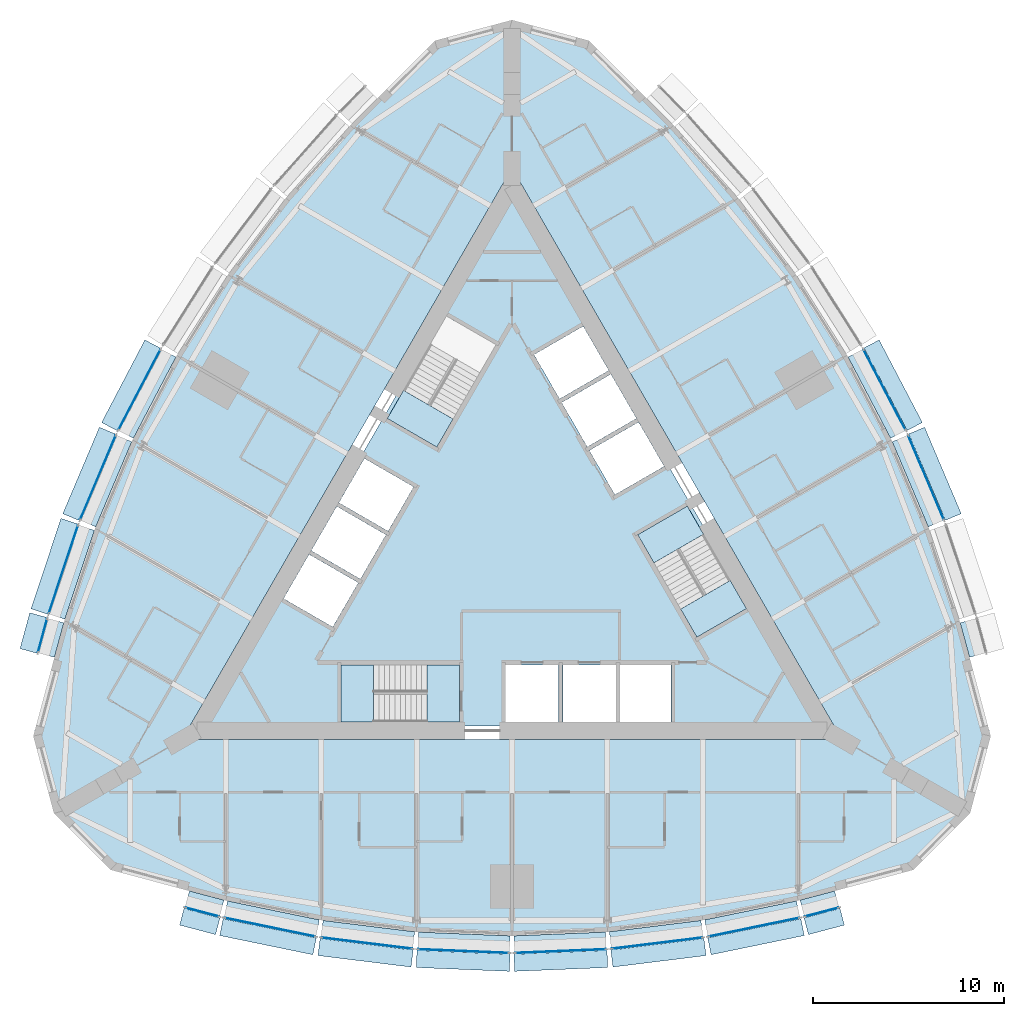
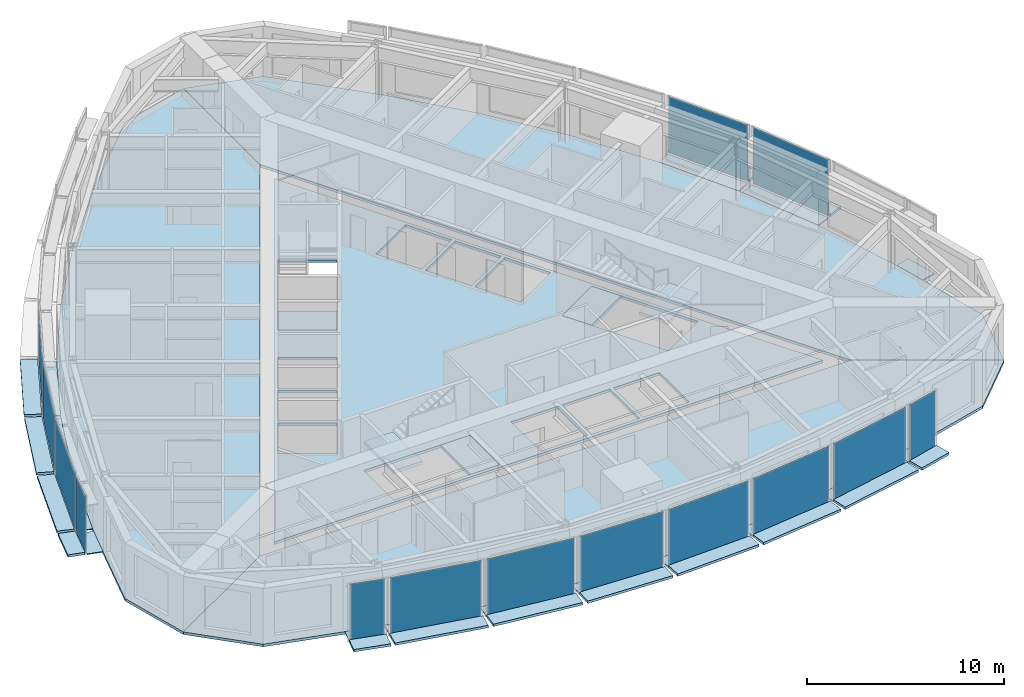
# One storey, part 7 of 15: 43 plates, 9 slabs, 17 elements without a shape of their own.
"""IFC4 building model written with IfcOpenShell, lengths in metres."""

from ifc_helpers import new_model, si_unit, direction, frame, origin, origin_2d, place, context, subcontext, project, spatial, polyline, rectangle, outline, extrude, material, layer, layer_set, type_object, element, aggregate, save


model = new_model("IFC4")

# Units and contexts
model_context = context("Model", 3, precision=1e-05, world=origin(), true_north=direction((0.0, 1.0)))
body_context = subcontext(model_context, "Body", "Model", "MODEL_VIEW")
ifc_project = project(units=[si_unit("LENGTHUNIT", "METRE"), si_unit("AREAUNIT", "SQUARE_METRE"), si_unit("VOLUMEUNIT", "CUBIC_METRE"), si_unit("PLANEANGLEUNIT", "RADIAN"), si_unit("MASSUNIT", "GRAM", prefix="KILO")], contexts=[model_context])

# Site, building, storey
site_placement = place(None, origin())
site = spatial("IfcSite", under=ifc_project, at=site_placement, CompositionType="ELEMENT")
building_placement = place(site_placement, origin())
building = spatial("IfcBuilding", under=site, at=building_placement, Name="Trikona Tower", CompositionType="ELEMENT")
storey_placement = place(building_placement, frame((0.0, 0.0, 200.89990234375)))
storey = spatial("IfcBuildingStorey", under=building, at=storey_placement, Name="L53", CompositionType="ELEMENT", Elevation=200.89990234375)

# Plates
ifc_material_1 = material(Name="Aluminium bar grating", Category="aluminium")
ifc_layer_1 = layer(ifc_material_1, 0.050048828125)
ifc_layer_set_1 = layer_set([ifc_layer_1], Name="Cavity catwalk grating")
plate_type_1 = type_object("IfcPlateType", Name="Cavity catwalk grating", PredefinedType="USERDEFINED", material=ifc_layer_set_1)
plate_1_placement = place(storey_placement, frame((-16.10693359375, -18.5673828125, -0.0498046875), z_axis=(0.0, 0.0, 1.0), x_axis=(0.966993038714, -0.254802792527, 0.0)))
element("IfcPlate", 1, at=plate_1_placement, inside=storey, type_object=plate_type_1, Name="Cavity catwalk L53-00", ObjectType="CATWALK GRATING", PredefinedType="USERDEFINED", context=body_context, shape_type="SweptSolid", body=[
    extrude(rectangle(XDim=1.868408203125, YDim=0.840087890625, at=origin_2d()), origin(), (0.0, 0.0, 1.0), 0.050048828125),
])
plate_2_placement = place(storey_placement, frame((-12.584716796875, -19.35107421875, -0.0498046875), z_axis=(0.0, 0.0, 1.0), x_axis=(0.979457514864, -0.201650629992, 0.0)))
element("IfcPlate", 2, at=plate_2_placement, inside=storey, type_object=plate_type_1, Name="Cavity catwalk L53-01", ObjectType="CATWALK GRATING", PredefinedType="USERDEFINED", context=body_context, shape_type="SweptSolid", body=[
    extrude(rectangle(XDim=4.90478515625, YDim=0.840087890625, at=origin_2d()), origin(), (0.0, 0.0, 1.0), 0.050048828125),
])
plate_3_placement = place(storey_placement, frame((-7.551513671875, -20.179931640625, -0.0498046875), z_axis=(0.0, 0.0, 1.0), x_axis=(0.992455266199, -0.122607277901, 0.0)))
element("IfcPlate", 3, at=plate_3_placement, inside=storey, type_object=plate_type_1, Name="Cavity catwalk L53-02", ObjectType="CATWALK GRATING", PredefinedType="USERDEFINED", context=body_context, shape_type="SweptSolid", body=[
    extrude(rectangle(XDim=4.837890625, YDim=0.840087890625, at=origin_2d()), origin(), (0.0, 0.0, 1.0), 0.050048828125),
])
for number, where, z_axis, x_axis, name in (
    (4, (-2.517333984375, -20.594482421875, -0.0498046875), (0.0, 0.0, 1.0), (0.999153186307, -0.041144991109, 0.0), "Cavity catwalk L53-03"),
    (5, (2.517333984375, -20.594482421875, -0.0498046875), (0.0, 0.0, 1.0), (0.999153186307, 0.041144991109, 0.0), "Cavity catwalk L53-04"),
):
    element("IfcPlate", number, at=place(storey_placement, frame(where, z_axis=z_axis, x_axis=x_axis)), inside=storey, type_object=plate_type_1, Name=name, ObjectType="CATWALK GRATING", PredefinedType="USERDEFINED", context=body_context, shape_type="SweptSolid", body=[
        extrude(rectangle(XDim=4.80419921875, YDim=0.840087890625, at=origin_2d()), origin(), (0.0, 0.0, 1.0), 0.050048828125),
    ])
plate_4_placement = place(storey_placement, frame((7.551513671875, -20.179931640625, -0.0498046875), z_axis=(0.0, 0.0, 1.0), x_axis=(0.992455266199, 0.122607277901, 0.0)))
element("IfcPlate", 6, at=plate_4_placement, inside=storey, type_object=plate_type_1, Name="Cavity catwalk L53-05", ObjectType="CATWALK GRATING", PredefinedType="USERDEFINED", context=body_context, shape_type="SweptSolid", body=[
    extrude(rectangle(XDim=4.837890625, YDim=0.840087890625, at=origin_2d()), origin(), (0.0, 0.0, 1.0), 0.050048828125),
])
plate_5_placement = place(storey_placement, frame((12.584716796875, -19.35107421875, -0.0498046875), z_axis=(0.0, 0.0, 1.0), x_axis=(0.979457514864, 0.201650629992, 0.0)))
element("IfcPlate", 7, at=plate_5_placement, inside=storey, type_object=plate_type_1, Name="Cavity catwalk L53-06", ObjectType="CATWALK GRATING", PredefinedType="USERDEFINED", context=body_context, shape_type="SweptSolid", body=[
    extrude(rectangle(XDim=4.90478515625, YDim=0.840087890625, at=origin_2d()), origin(), (0.0, 0.0, 1.0), 0.050048828125),
])
for number, where, z_axis, x_axis, name in (
    (8, (16.10693359375, -18.5673828125, -0.0498046875), (0.0, 0.0, 1.0), (0.966993038714, 0.254802792527, 0.0), "Cavity catwalk L53-07"),
    (9, (24.13330078125, -4.665283203125, -0.0498046875), (0.0, 0.0, 1.0), (-0.262822408229, 0.964844226667, 0.0), "Cavity catwalk L53-12"),
):
    element("IfcPlate", number, at=place(storey_placement, frame(where, z_axis=z_axis, x_axis=x_axis)), inside=storey, type_object=plate_type_1, Name=name, ObjectType="CATWALK GRATING", PredefinedType="USERDEFINED", context=body_context, shape_type="SweptSolid", body=[
        extrude(rectangle(XDim=1.868408203125, YDim=0.840087890625, at=origin_2d()), origin(), (0.0, 0.0, 1.0), 0.050048828125),
    ])
plate_6_placement = place(storey_placement, frame((21.252197265625, 3.55029296875, -0.0498046875), z_axis=(0.0, 0.0, 1.0), x_axis=(-0.390051437015, 0.920793069306, 0.0)))
element("IfcPlate", 10, at=plate_6_placement, inside=storey, type_object=plate_type_1, Name="Cavity catwalk L53-14", ObjectType="CATWALK GRATING", PredefinedType="USERDEFINED", context=body_context, shape_type="SweptSolid", body=[
    extrude(rectangle(XDim=4.837890625, YDim=0.840087890625, at=origin_2d()), origin(), (0.0, 0.0, 1.0), 0.050048828125),
])
for number, where, z_axis, x_axis, name in (
    (11, (19.093994140625, 8.1171875, -0.0498046875), (0.0, 0.0, 1.0), (-0.463951716224, 0.885860488459, 0.0), "Cavity catwalk L53-15"),
    (12, (-19.093994140625, 8.1171875, -0.0498046875), (0.0, 0.0, 1.0), (-0.463951716224, -0.885860488459, 0.0), "Cavity catwalk L53-28"),
):
    element("IfcPlate", number, at=place(storey_placement, frame(where, z_axis=z_axis, x_axis=x_axis)), inside=storey, type_object=plate_type_1, Name=name, ObjectType="CATWALK GRATING", PredefinedType="USERDEFINED", context=body_context, shape_type="SweptSolid", body=[
        extrude(rectangle(XDim=4.80419921875, YDim=0.840087890625, at=origin_2d()), origin(), (0.0, 0.0, 1.0), 0.050048828125),
    ])
plate_7_placement = place(storey_placement, frame((-21.252197265625, 3.55029296875, -0.0498046875), z_axis=(0.0, 0.0, 1.0), x_axis=(-0.390051437015, -0.920793069306, 0.0)))
element("IfcPlate", 13, at=plate_7_placement, inside=storey, type_object=plate_type_1, Name="Cavity catwalk L53-29", ObjectType="CATWALK GRATING", PredefinedType="USERDEFINED", context=body_context, shape_type="SweptSolid", body=[
    extrude(rectangle(XDim=4.837890625, YDim=0.840087890625, at=origin_2d()), origin(), (0.0, 0.0, 1.0), 0.050048828125),
])
plate_8_placement = place(storey_placement, frame((-23.05078125, -1.22314453125, -0.0498046875), z_axis=(0.0, 0.0, 1.0), x_axis=(-0.315092532747, -0.949060954737, 0.0)))
element("IfcPlate", 14, at=plate_8_placement, inside=storey, type_object=plate_type_1, Name="Cavity catwalk L53-30", ObjectType="CATWALK GRATING", PredefinedType="USERDEFINED", context=body_context, shape_type="SweptSolid", body=[
    extrude(rectangle(XDim=4.90478515625, YDim=0.840087890625, at=origin_2d()), origin(), (0.0, 0.0, 1.0), 0.050048828125),
])
plate_9_placement = place(storey_placement, frame((-24.13330078125, -4.665283203125, -0.0498046875), z_axis=(0.0, 0.0, 1.0), x_axis=(-0.262822408229, -0.964844226667, 0.0)))
element("IfcPlate", 15, at=plate_9_placement, inside=storey, type_object=plate_type_1, Name="Cavity catwalk L53-31", ObjectType="CATWALK GRATING", PredefinedType="USERDEFINED", context=body_context, shape_type="SweptSolid", body=[
    extrude(rectangle(XDim=1.868408203125, YDim=0.840087890625, at=origin_2d()), origin(), (0.0, 0.0, 1.0), 0.050048828125),
])

# Slabs
ifc_material_2 = material(Name="Concrete f'c 5000 psi lightweight on composite steel deck", Category="concrete")
ifc_layer_2 = layer(ifc_material_2, 0.1650390625)
ifc_layer_set_2 = layer_set([ifc_layer_2], Name="Composite floor slab 165")
slab_type_1 = type_object("IfcSlabType", Name="Composite floor slab 165", PredefinedType="FLOOR", material=ifc_layer_set_2)
slab_1_placement = place(storey_placement, frame((0.0, 0.0, -0.164794921875)))
element("IfcSlab", 16, at=slab_1_placement, inside=storey, type_object=slab_type_1, Name="Floor slab L53 core", PredefinedType="FLOOR", context=body_context, shape_type="SweptSolid", body=[
    extrude(outline(polyline([(-16.06689453125, -9.2763671875), (16.06689453125, -9.2763671875), (0.0, 18.552490234375), (-16.06689453125, -9.2763671875)]), holes=[polyline([(12.285400390625, -3.126220703125), (9.185302734375, 2.2431640625), (6.587158203125, 0.7431640625), (9.687255859375, -4.626220703125), (12.285400390625, -3.126220703125)]), polyline([(8.340087890625, -9.06640625), (8.340087890625, -6.086181640625), (5.659912109375, -6.086181640625), (5.659912109375, -9.06640625), (8.340087890625, -9.06640625)]), polyline([(5.390869140625, 2.835205078125), (7.9716796875, 4.3251953125), (6.631591796875, 6.646240234375), (4.05078125, 5.15625), (5.390869140625, 2.835205078125)]), polyline([(2.600830078125, 7.667724609375), (3.94091796875, 5.3466796875), (6.521484375, 6.8369140625), (5.181640625, 9.15771484375), (2.600830078125, 7.667724609375)]), polyline([(5.43994140625, -6.086181640625), (2.659912109375, -6.086181640625), (2.659912109375, -9.06640625), (5.43994140625, -9.06640625), (5.43994140625, -6.086181640625)]), polyline([(3.731689453125, 11.669189453125), (1.15087890625, 10.17919921875), (2.490966796875, 7.858154296875), (5.071533203125, 9.34814453125), (3.731689453125, 11.669189453125)]), polyline([(-0.340087890625, -6.086181640625), (-0.340087890625, -9.06640625), (2.43994140625, -9.06640625), (2.43994140625, -6.086181640625), (-0.340087890625, -6.086181640625)]), polyline([(-3.435302734375, 12.202392578125), (-6.535400390625, 6.8330078125), (-3.937255859375, 5.3330078125), (-0.837158203125, 10.702392578125), (-3.435302734375, 12.202392578125)]), polyline([(-8.949951171875, -9.076416015625), (-2.75, -9.076416015625), (-2.75, -6.076416015625), (-8.949951171875, -6.076416015625), (-8.949951171875, -9.076416015625)]), polyline([(-5.15087890625, 3.2509765625), (-7.731689453125, 4.740966796875), (-9.071533203125, 2.419921875), (-6.490966796875, 0.929931640625), (-5.15087890625, 3.2509765625)]), polyline([(-7.94091796875, -1.581298828125), (-6.600830078125, 0.739501953125), (-9.181640625, 2.2294921875), (-10.521484375, -0.09130859375), (-7.94091796875, -1.581298828125)]), polyline([(-11.9716796875, -2.602783203125), (-9.390869140625, -4.093017578125), (-8.05078125, -1.77197265625), (-10.631591796875, -0.281982421875), (-11.9716796875, -2.602783203125)])]), origin(), (0.0, 0.0, 1.0), 0.164794921875),
])
slab_2_placement = place(storey_placement, frame((0.0, 0.0, -0.164794921875)))
element("IfcSlab", 17, at=slab_2_placement, inside=storey, type_object=slab_type_1, Name="Floor slab L53 south", PredefinedType="FLOOR", context=body_context, shape_type="SweptSolid", body=[
    extrude(outline(polyline([(21.04150390625, -16.81494140625), (24.0, -13.8564453125), (17.279296875, -9.976318359375), (-17.279296875, -9.976318359375), (-24.0, -13.8564453125), (-21.04150390625, -16.81494140625), (-17.0, -17.89794921875), (-15.0, -18.4248046875), (-10.0, -19.454345703125), (-5.0, -20.072021484375), (0.0, -20.27783203125), (5.0, -20.072021484375), (10.0, -19.454345703125), (15.0, -18.4248046875), (17.0, -17.89794921875), (21.04150390625, -16.81494140625)])), origin(), (0.0, 0.0, 1.0), 0.164794921875),
])
slab_3_placement = place(storey_placement, frame((0.0, 0.0, -0.164794921875)))
element("IfcSlab", 18, at=slab_3_placement, inside=storey, type_object=slab_type_1, Name="Floor slab L53 north-east", PredefinedType="FLOOR", context=body_context, shape_type="SweptSolid", body=[
    extrude(outline(polyline([(4.04150390625, 26.6298828125), (0.0, 27.712890625), (0.0, 19.95263671875), (17.279296875, -9.976318359375), (24.0, -13.8564453125), (25.0830078125, -9.81494140625), (24.0, -5.7734375), (23.456298828125, -3.77783203125), (21.847900390625, 1.06689453125), (19.8828125, 5.705810546875), (17.56103515625, 10.138916015625), (14.8828125, 14.3662109375), (11.847900390625, 18.387451171875), (8.456298828125, 22.202880859375), (7.0, 23.67138671875), (4.04150390625, 26.6298828125)])), origin(), (0.0, 0.0, 1.0), 0.164794921875),
])
slab_4_placement = place(storey_placement, frame((0.0, 0.0, -0.164794921875)))
element("IfcSlab", 19, at=slab_4_placement, inside=storey, type_object=slab_type_1, Name="Floor slab L53 north-west", PredefinedType="FLOOR", context=body_context, shape_type="SweptSolid", body=[
    extrude(outline(polyline([(0.0, 19.95263671875), (0.0, 27.712890625), (-4.04150390625, 26.6298828125), (-7.0, 23.67138671875), (-8.456298828125, 22.202880859375), (-11.847900390625, 18.387451171875), (-14.8828125, 14.3662109375), (-17.56103515625, 10.138916015625), (-19.8828125, 5.705810546875), (-21.847900390625, 1.06689453125), (-23.456298828125, -3.77783203125), (-24.0, -5.7734375), (-25.0830078125, -9.81494140625), (-24.0, -13.8564453125), (-17.279296875, -9.976318359375), (0.0, 19.95263671875)])), origin(), (0.0, 0.0, 1.0), 0.164794921875),
])

# Curtain wall, plate
ifc_material_3 = material(Name="Aluminium curtain wall system", Category="aluminium")
curtain_wall_type = type_object("IfcCurtainWallType", Name="Curtain wall DS3", PredefinedType="NOTDEFINED", material=ifc_material_3)
curtain_wall_1_placement = place(storey_placement, origin())
curtain_wall_1 = element("IfcCurtainWall", 20, at=curtain_wall_1_placement, inside=storey, type_object=curtain_wall_type, Name="Curtain wall DS3 L53", PredefinedType="NOTDEFINED")
ifc_material_4 = material(Name="Laminated clear glass", Category="glass")
ifc_layer_3 = layer(ifc_material_4, 0.028076171875)
ifc_layer_set_3 = layer_set([ifc_layer_3], Name="Glass panel DS3")
plate_type_2 = type_object("IfcPlateType", Name="Glass panel DS3", PredefinedType="CURTAIN_PANEL", material=ifc_layer_set_3)
plate_10_placement = place(storey_placement, frame((-16.229248046875, -19.03173828125, 0.070068359375), z_axis=(0.0, 0.0, 1.0), x_axis=(0.966997369647, -0.25478635579, 0.0)))
plate_10 = element("IfcPlate", 21, at=plate_10_placement, type_object=plate_type_2, Name="CW-DS3 panel 1.1", PredefinedType="CURTAIN_PANEL", context=body_context, shape_type="SweptSolid", body=[
    extrude(rectangle(XDim=1.808349609375, YDim=0.028076171875, at=origin_2d()), origin(), (0.0, 0.0, 1.0), 3.4599609375),
])
aggregate(curtain_wall_1, [plate_10])

curtain_wall_2_placement = place(storey_placement, origin())
curtain_wall_2 = element("IfcCurtainWall", 22, at=curtain_wall_2_placement, inside=storey, type_object=curtain_wall_type, Name="Curtain wall DS3 L53", PredefinedType="NOTDEFINED")
plate_11_placement = place(storey_placement, frame((-12.681396484375, -19.821044921875, 0.070068359375), z_axis=(0.0, 0.0, 1.0), x_axis=(0.979457043256, -0.201652920672, 0.0)))
plate_11 = element("IfcPlate", 23, at=plate_11_placement, type_object=plate_type_2, Name="CW-DS3 panel 1.1", PredefinedType="CURTAIN_PANEL", context=body_context, shape_type="SweptSolid", body=[
    extrude(rectangle(XDim=4.8447265625, YDim=0.028076171875, at=origin_2d()), origin(), (0.0, 0.0, 1.0), 3.4599609375),
])
aggregate(curtain_wall_2, [plate_11])

curtain_wall_3_placement = place(storey_placement, origin())
curtain_wall_3 = element("IfcCurtainWall", 24, at=curtain_wall_3_placement, inside=storey, type_object=curtain_wall_type, Name="Curtain wall DS3 L53", PredefinedType="NOTDEFINED")
plate_12_placement = place(storey_placement, frame((-7.6103515625, -20.656494140625, 0.070068359375), z_axis=(0.0, 0.0, 1.0), x_axis=(0.992454850785, -0.122610640458, 0.0)))
plate_12 = element("IfcPlate", 25, at=plate_12_placement, type_object=plate_type_2, Name="CW-DS3 panel 1.1", PredefinedType="CURTAIN_PANEL", context=body_context, shape_type="SweptSolid", body=[
    extrude(rectangle(XDim=4.778076171875, YDim=0.028076171875, at=origin_2d()), origin(), (0.0, 0.0, 1.0), 3.4599609375),
])
aggregate(curtain_wall_3, [plate_12])

curtain_wall_4_placement = place(storey_placement, origin())
curtain_wall_4 = element("IfcCurtainWall", 26, at=curtain_wall_4_placement, inside=storey, type_object=curtain_wall_type, Name="Curtain wall DS3 L53", PredefinedType="NOTDEFINED")
plate_13_placement = place(storey_placement, frame((-2.537109375, -21.07421875, 0.070068359375), z_axis=(0.0, 0.0, 1.0), x_axis=(0.999152865157, -0.04115278907, 0.0)))
plate_13 = element("IfcPlate", 27, at=plate_13_placement, type_object=plate_type_2, Name="CW-DS3 panel 1.1", PredefinedType="CURTAIN_PANEL", context=body_context, shape_type="SweptSolid", body=[
    extrude(rectangle(XDim=4.744140625, YDim=0.028076171875, at=origin_2d()), origin(), (0.0, 0.0, 1.0), 3.4599609375),
])
aggregate(curtain_wall_4, [plate_13])

curtain_wall_5_placement = place(storey_placement, origin())
curtain_wall_5 = element("IfcCurtainWall", 28, at=curtain_wall_5_placement, inside=storey, type_object=curtain_wall_type, Name="Curtain wall DS3 L53", PredefinedType="NOTDEFINED")
plate_14_placement = place(storey_placement, frame((2.537109375, -21.07421875, 0.070068359375), z_axis=(0.0, 0.0, 1.0), x_axis=(0.999152865157, 0.04115278907, 0.0)))
plate_14 = element("IfcPlate", 29, at=plate_14_placement, type_object=plate_type_2, Name="CW-DS3 panel 1.1", PredefinedType="CURTAIN_PANEL", context=body_context, shape_type="SweptSolid", body=[
    extrude(rectangle(XDim=4.744140625, YDim=0.028076171875, at=origin_2d()), origin(), (0.0, 0.0, 1.0), 3.4599609375),
])
aggregate(curtain_wall_5, [plate_14])

curtain_wall_6_placement = place(storey_placement, origin())
curtain_wall_6 = element("IfcCurtainWall", 30, at=curtain_wall_6_placement, inside=storey, type_object=curtain_wall_type, Name="Curtain wall DS3 L53", PredefinedType="NOTDEFINED")
plate_15_placement = place(storey_placement, frame((7.6103515625, -20.656494140625, 0.070068359375), z_axis=(0.0, 0.0, 1.0), x_axis=(0.992454850785, 0.122610640458, 0.0)))
plate_15 = element("IfcPlate", 31, at=plate_15_placement, type_object=plate_type_2, Name="CW-DS3 panel 1.1", PredefinedType="CURTAIN_PANEL", context=body_context, shape_type="SweptSolid", body=[
    extrude(rectangle(XDim=4.778076171875, YDim=0.028076171875, at=origin_2d()), origin(), (0.0, 0.0, 1.0), 3.4599609375),
])
aggregate(curtain_wall_6, [plate_15])

curtain_wall_7_placement = place(storey_placement, origin())
curtain_wall_7 = element("IfcCurtainWall", 32, at=curtain_wall_7_placement, inside=storey, type_object=curtain_wall_type, Name="Curtain wall DS3 L53", PredefinedType="NOTDEFINED")
plate_16_placement = place(storey_placement, frame((12.681396484375, -19.821044921875, 0.070068359375), z_axis=(0.0, 0.0, 1.0), x_axis=(0.979457043256, 0.201652920672, 0.0)))
plate_16 = element("IfcPlate", 33, at=plate_16_placement, type_object=plate_type_2, Name="CW-DS3 panel 1.1", PredefinedType="CURTAIN_PANEL", context=body_context, shape_type="SweptSolid", body=[
    extrude(rectangle(XDim=4.8447265625, YDim=0.028076171875, at=origin_2d()), origin(), (0.0, 0.0, 1.0), 3.4599609375),
])
aggregate(curtain_wall_7, [plate_16])

curtain_wall_8_placement = place(storey_placement, origin())
curtain_wall_8 = element("IfcCurtainWall", 34, at=curtain_wall_8_placement, inside=storey, type_object=curtain_wall_type, Name="Curtain wall DS3 L53", PredefinedType="NOTDEFINED")
plate_17_placement = place(storey_placement, frame((16.229248046875, -19.03173828125, 0.070068359375), z_axis=(0.0, 0.0, 1.0), x_axis=(0.966997369647, 0.25478635579, 0.0)))
plate_17 = element("IfcPlate", 35, at=plate_17_placement, type_object=plate_type_2, Name="CW-DS3 panel 1.1", PredefinedType="CURTAIN_PANEL", context=body_context, shape_type="SweptSolid", body=[
    extrude(rectangle(XDim=1.808349609375, YDim=0.028076171875, at=origin_2d()), origin(), (0.0, 0.0, 1.0), 3.4599609375),
])
aggregate(curtain_wall_8, [plate_17])

curtain_wall_9_placement = place(storey_placement, origin())
curtain_wall_9 = element("IfcCurtainWall", 36, at=curtain_wall_9_placement, inside=storey, type_object=curtain_wall_type, Name="Curtain wall DS3 L53", PredefinedType="NOTDEFINED")
plate_18_placement = place(storey_placement, frame((21.694091796875, 3.737548828125, 0.070068359375), z_axis=(0.0, 0.0, 1.0), x_axis=(-0.390053199266, 0.920792322808, 0.0)))
plate_18 = element("IfcPlate", 37, at=plate_18_placement, type_object=plate_type_2, Name="CW-DS3 panel 1.1", PredefinedType="CURTAIN_PANEL", context=body_context, shape_type="SweptSolid", body=[
    extrude(rectangle(XDim=4.778076171875, YDim=0.028076171875, at=origin_2d()), origin(), (0.0, 0.0, 1.0), 3.4599609375),
])
aggregate(curtain_wall_9, [plate_18])

curtain_wall_10_placement = place(storey_placement, origin())
curtain_wall_10 = element("IfcCurtainWall", 38, at=curtain_wall_10_placement, inside=storey, type_object=curtain_wall_type, Name="Curtain wall DS3 L53", PredefinedType="NOTDEFINED")
plate_19_placement = place(storey_placement, frame((19.519287109375, 8.33984375, 0.070068359375), z_axis=(0.0, 0.0, 1.0), x_axis=(-0.463948084434, 0.885862390527, 0.0)))
plate_19 = element("IfcPlate", 39, at=plate_19_placement, type_object=plate_type_2, Name="CW-DS3 panel 1.1", PredefinedType="CURTAIN_PANEL", context=body_context, shape_type="SweptSolid", body=[
    extrude(rectangle(XDim=4.744140625, YDim=0.028076171875, at=origin_2d()), origin(), (0.0, 0.0, 1.0), 3.4599609375),
])
aggregate(curtain_wall_10, [plate_19])

curtain_wall_11_placement = place(storey_placement, origin())
curtain_wall_11 = element("IfcCurtainWall", 40, at=curtain_wall_11_placement, inside=storey, type_object=curtain_wall_type, Name="Curtain wall DS3 L53", PredefinedType="NOTDEFINED")
plate_20_placement = place(storey_placement, frame((-19.519287109375, 8.33984375, 0.070068359375), z_axis=(0.0, 0.0, 1.0), x_axis=(-0.463948084434, -0.885862390527, 0.0)))
plate_20 = element("IfcPlate", 41, at=plate_20_placement, type_object=plate_type_2, Name="CW-DS3 panel 1.1", PredefinedType="CURTAIN_PANEL", context=body_context, shape_type="SweptSolid", body=[
    extrude(rectangle(XDim=4.744140625, YDim=0.028076171875, at=origin_2d()), origin(), (0.0, 0.0, 1.0), 3.4599609375),
])
aggregate(curtain_wall_11, [plate_20])

curtain_wall_12_placement = place(storey_placement, origin())
curtain_wall_12 = element("IfcCurtainWall", 42, at=curtain_wall_12_placement, inside=storey, type_object=curtain_wall_type, Name="Curtain wall DS3 L53", PredefinedType="NOTDEFINED")
plate_21_placement = place(storey_placement, frame((-21.694091796875, 3.737548828125, 0.070068359375), z_axis=(0.0, 0.0, 1.0), x_axis=(-0.390053199266, -0.920792322808, 0.0)))
plate_21 = element("IfcPlate", 43, at=plate_21_placement, type_object=plate_type_2, Name="CW-DS3 panel 1.1", PredefinedType="CURTAIN_PANEL", context=body_context, shape_type="SweptSolid", body=[
    extrude(rectangle(XDim=4.778076171875, YDim=0.028076171875, at=origin_2d()), origin(), (0.0, 0.0, 1.0), 3.4599609375),
])
aggregate(curtain_wall_12, [plate_21])

curtain_wall_13_placement = place(storey_placement, origin())
curtain_wall_13 = element("IfcCurtainWall", 44, at=curtain_wall_13_placement, inside=storey, type_object=curtain_wall_type, Name="Curtain wall DS3 L53", PredefinedType="NOTDEFINED")
plate_22_placement = place(storey_placement, frame((-23.50634765625, -1.072021484375, 0.070068359375), z_axis=(0.0, 0.0, 1.0), x_axis=(-0.315078038687, -0.949065766708, 0.0)))
plate_22 = element("IfcPlate", 45, at=plate_22_placement, type_object=plate_type_2, Name="CW-DS3 panel 1.1", PredefinedType="CURTAIN_PANEL", context=body_context, shape_type="SweptSolid", body=[
    extrude(rectangle(XDim=4.8447265625, YDim=0.028076171875, at=origin_2d()), origin(), (0.0, 0.0, 1.0), 3.4599609375),
])
aggregate(curtain_wall_13, [plate_22])

curtain_wall_14_placement = place(storey_placement, origin())
curtain_wall_14 = element("IfcCurtainWall", 46, at=curtain_wall_14_placement, inside=storey, type_object=curtain_wall_type, Name="Curtain wall DS3 L53", PredefinedType="NOTDEFINED")
plate_23_placement = place(storey_placement, frame((-24.596435546875, -4.539306640625, 0.070068359375), z_axis=(0.0, 0.0, 1.0), x_axis=(-0.262843784676, -0.964838403494, 0.0)))
plate_23 = element("IfcPlate", 47, at=plate_23_placement, type_object=plate_type_2, Name="CW-DS3 panel 1.1", PredefinedType="CURTAIN_PANEL", context=body_context, shape_type="SweptSolid", body=[
    extrude(rectangle(XDim=1.808349609375, YDim=0.028076171875, at=origin_2d()), origin(), (0.0, 0.0, 1.0), 3.4599609375),
])
aggregate(curtain_wall_14, [plate_23])

# Plates
ifc_material_5 = material(Name="Aluminium plate fin, pale anodised, on stainless steel outriggers", Category="steel")
ifc_layer_4 = layer(ifc_material_5, 0.14990234375)
ifc_layer_set_4 = layer_set([ifc_layer_4], Name="Outer skin fin 900")
plate_type_3 = type_object("IfcPlateType", Name="Outer skin fin 900", PredefinedType="USERDEFINED", material=ifc_layer_set_4)
plate_24_placement = place(storey_placement, frame((-16.359375, -19.52490234375, 0.000244140625), z_axis=(0.0, 0.0, 1.0), x_axis=(0.966993038714, -0.254802792527, 0.0)))
element("IfcPlate", 48, at=plate_24_placement, inside=storey, type_object=plate_type_3, Name="Outer skin fin L53-00", ObjectType="FIN", PredefinedType="USERDEFINED", context=body_context, shape_type="SweptSolid", body=[
    extrude(rectangle(XDim=1.9482421875, YDim=0.89990234375, at=origin_2d()), origin(), (0.0, 0.0, 1.0), 0.14990234375),
])
plate_25_placement = place(storey_placement, frame((-12.7841796875, -20.320556640625, 0.000244140625), z_axis=(0.0, 0.0, 1.0), x_axis=(0.979457514864, -0.201650629992, 0.0)))
element("IfcPlate", 49, at=plate_25_placement, inside=storey, type_object=plate_type_3, Name="Outer skin fin L53-01", ObjectType="FIN", PredefinedType="USERDEFINED", context=body_context, shape_type="SweptSolid", body=[
    extrude(rectangle(XDim=4.98486328125, YDim=0.89990234375, at=origin_2d()), origin(), (0.0, 0.0, 1.0), 0.14990234375),
])
plate_26_placement = place(storey_placement, frame((-7.6728515625, -21.16259765625, 0.000244140625), z_axis=(0.0, 0.0, 1.0), x_axis=(0.992455266199, -0.122607277901, 0.0)))
element("IfcPlate", 50, at=plate_26_placement, inside=storey, type_object=plate_type_3, Name="Outer skin fin L53-02", ObjectType="FIN", PredefinedType="USERDEFINED", context=body_context, shape_type="SweptSolid", body=[
    extrude(rectangle(XDim=4.91796875, YDim=0.89990234375, at=origin_2d()), origin(), (0.0, 0.0, 1.0), 0.14990234375),
])
for number, where, z_axis, x_axis, name in (
    (51, (-2.55810546875, -21.583740234375, 0.000244140625), (0.0, 0.0, 1.0), (0.999153186307, -0.041144991109, 0.0), "Outer skin fin L53-03"),
    (52, (2.55810546875, -21.583740234375, 0.000244140625), (0.0, 0.0, 1.0), (0.999153186307, 0.041144991109, 0.0), "Outer skin fin L53-04"),
):
    element("IfcPlate", number, at=place(storey_placement, frame(where, z_axis=z_axis, x_axis=x_axis)), inside=storey, type_object=plate_type_3, Name=name, ObjectType="FIN", PredefinedType="USERDEFINED", context=body_context, shape_type="SweptSolid", body=[
        extrude(rectangle(XDim=4.88427734375, YDim=0.89990234375, at=origin_2d()), origin(), (0.0, 0.0, 1.0), 0.14990234375),
    ])
plate_27_placement = place(storey_placement, frame((7.6728515625, -21.16259765625, 0.000244140625), z_axis=(0.0, 0.0, 1.0), x_axis=(0.992455266199, 0.122607277901, 0.0)))
element("IfcPlate", 53, at=plate_27_placement, inside=storey, type_object=plate_type_3, Name="Outer skin fin L53-05", ObjectType="FIN", PredefinedType="USERDEFINED", context=body_context, shape_type="SweptSolid", body=[
    extrude(rectangle(XDim=4.91796875, YDim=0.89990234375, at=origin_2d()), origin(), (0.0, 0.0, 1.0), 0.14990234375),
])
plate_28_placement = place(storey_placement, frame((12.7841796875, -20.320556640625, 0.000244140625), z_axis=(0.0, 0.0, 1.0), x_axis=(0.979457514864, 0.201650629992, 0.0)))
element("IfcPlate", 54, at=plate_28_placement, inside=storey, type_object=plate_type_3, Name="Outer skin fin L53-06", ObjectType="FIN", PredefinedType="USERDEFINED", context=body_context, shape_type="SweptSolid", body=[
    extrude(rectangle(XDim=4.98486328125, YDim=0.89990234375, at=origin_2d()), origin(), (0.0, 0.0, 1.0), 0.14990234375),
])
plate_29_placement = place(storey_placement, frame((16.359375, -19.52490234375, 0.000244140625), z_axis=(0.0, 0.0, 1.0), x_axis=(0.966993038714, 0.254802792527, 0.0)))
element("IfcPlate", 55, at=plate_29_placement, inside=storey, type_object=plate_type_3, Name="Outer skin fin L53-07", ObjectType="FIN", PredefinedType="USERDEFINED", context=body_context, shape_type="SweptSolid", body=[
    extrude(rectangle(XDim=1.9482421875, YDim=0.89990234375, at=origin_2d()), origin(), (0.0, 0.0, 1.0), 0.14990234375),
])
plate_30_placement = place(storey_placement, frame((22.163818359375, 3.936279296875, 0.000244140625), z_axis=(0.0, 0.0, 1.0), x_axis=(-0.390051437015, 0.920793069306, 0.0)))
element("IfcPlate", 56, at=plate_30_placement, inside=storey, type_object=plate_type_3, Name="Outer skin fin L53-14", ObjectType="FIN", PredefinedType="USERDEFINED", context=body_context, shape_type="SweptSolid", body=[
    extrude(rectangle(XDim=4.91796875, YDim=0.89990234375, at=origin_2d()), origin(), (0.0, 0.0, 1.0), 0.14990234375),
])
for number, where, z_axis, x_axis, name in (
    (57, (19.970947265625, 8.57666015625, 0.000244140625), (0.0, 0.0, 1.0), (-0.463951716224, 0.885860488459, 0.0), "Outer skin fin L53-15"),
    (58, (-19.970947265625, 8.57666015625, 0.000244140625), (0.0, 0.0, 1.0), (-0.463951716224, -0.885860488459, 0.0), "Outer skin fin L53-28"),
):
    element("IfcPlate", number, at=place(storey_placement, frame(where, z_axis=z_axis, x_axis=x_axis)), inside=storey, type_object=plate_type_3, Name=name, ObjectType="FIN", PredefinedType="USERDEFINED", context=body_context, shape_type="SweptSolid", body=[
        extrude(rectangle(XDim=4.88427734375, YDim=0.89990234375, at=origin_2d()), origin(), (0.0, 0.0, 1.0), 0.14990234375),
    ])
plate_31_placement = place(storey_placement, frame((-22.163818359375, 3.936279296875, 0.000244140625), z_axis=(0.0, 0.0, 1.0), x_axis=(-0.390051437015, -0.920793069306, 0.0)))
element("IfcPlate", 59, at=plate_31_placement, inside=storey, type_object=plate_type_3, Name="Outer skin fin L53-29", ObjectType="FIN", PredefinedType="USERDEFINED", context=body_context, shape_type="SweptSolid", body=[
    extrude(rectangle(XDim=4.91796875, YDim=0.89990234375, at=origin_2d()), origin(), (0.0, 0.0, 1.0), 0.14990234375),
])
plate_32_placement = place(storey_placement, frame((-23.990234375, -0.9111328125, 0.000244140625), z_axis=(0.0, 0.0, 1.0), x_axis=(-0.315092532747, -0.949060954737, 0.0)))
element("IfcPlate", 60, at=plate_32_placement, inside=storey, type_object=plate_type_3, Name="Outer skin fin L53-30", ObjectType="FIN", PredefinedType="USERDEFINED", context=body_context, shape_type="SweptSolid", body=[
    extrude(rectangle(XDim=4.98486328125, YDim=0.89990234375, at=origin_2d()), origin(), (0.0, 0.0, 1.0), 0.14990234375),
])
plate_33_placement = place(storey_placement, frame((-25.088623046875, -4.405029296875, 0.000244140625), z_axis=(0.0, 0.0, 1.0), x_axis=(-0.262822408229, -0.964844226667, 0.0)))
element("IfcPlate", 61, at=plate_33_placement, inside=storey, type_object=plate_type_3, Name="Outer skin fin L53-31", ObjectType="FIN", PredefinedType="USERDEFINED", context=body_context, shape_type="SweptSolid", body=[
    extrude(rectangle(XDim=1.9482421875, YDim=0.89990234375, at=origin_2d()), origin(), (0.0, 0.0, 1.0), 0.14990234375),
])

# Stair, slabs
ifc_material_6 = material(Name="Concrete f'c 5000 psi", Category="concrete")
stair_type = type_object("IfcStairType", Name="Core stair", PredefinedType="HALF_TURN_STAIR", material=ifc_material_6)
stair_1_placement = place(storey_placement, origin())
stair_1 = element("IfcStair", 62, at=stair_1_placement, inside=storey, type_object=stair_type, Name="Stair A L53", PredefinedType="HALF_TURN_STAIR")
ifc_material_7 = material(Name="Concrete f'c 5000 psi", Category="concrete")
ifc_layer_5 = layer(ifc_material_7, 0.199951171875)
ifc_layer_set_5 = layer_set([ifc_layer_5], Name="Stair landing 200")
slab_type_2 = type_object("IfcSlabType", Name="Stair landing 200", PredefinedType="LANDING", material=ifc_layer_set_5)
slab_5_placement = place(storey_placement, frame((0.0, 0.0, -0.199951171875)))
slab_5 = element("IfcSlab", 63, at=slab_5_placement, type_object=slab_type_2, Name="ST-A landing 1", PredefinedType="LANDING", context=body_context, shape_type="SweptSolid", body=[
    extrude(outline(polyline([(-4.452880859375, -6.076416015625), (-2.75, -6.076416015625), (-2.75, -9.076416015625), (-4.452880859375, -9.076416015625), (-4.452880859375, -6.076416015625)])), origin(), (0.0, 0.0, 1.0), 0.199951171875),
])
slab_6_placement = place(storey_placement, frame((0.0, 0.0, 1.60009765625)))
slab_6 = element("IfcSlab", 64, at=slab_6_placement, type_object=slab_type_2, Name="ST-A landing 2", PredefinedType="LANDING", context=body_context, shape_type="SweptSolid", body=[
    extrude(outline(polyline([(-8.949951171875, -6.076416015625), (-7.2470703125, -6.076416015625), (-7.2470703125, -9.076416015625), (-8.949951171875, -9.076416015625), (-8.949951171875, -6.076416015625)])), origin(), (0.0, 0.0, 1.0), 0.199951171875),
])
aggregate(stair_1, [slab_5, slab_6])

stair_2_placement = place(storey_placement, origin())
stair_2 = element("IfcStair", 65, at=stair_2_placement, inside=storey, type_object=stair_type, Name="Stair B L53", PredefinedType="HALF_TURN_STAIR")
slab_7_placement = place(storey_placement, frame((0.0, 0.0, -0.199951171875)))
slab_7 = element("IfcSlab", 66, at=slab_7_placement, type_object=slab_type_2, Name="ST-B landing 1", PredefinedType="LANDING", context=body_context, shape_type="SweptSolid", body=[
    extrude(outline(polyline([(7.438720703125, -0.731689453125), (6.587158203125, 0.7431640625), (9.185302734375, 2.2431640625), (10.036865234375, 0.768310546875), (7.438720703125, -0.731689453125)])), origin(), (0.0, 0.0, 1.0), 0.199951171875),
])
slab_8_placement = place(storey_placement, frame((0.0, 0.0, 1.60009765625)))
slab_8 = element("IfcSlab", 67, at=slab_8_placement, type_object=slab_type_2, Name="ST-B landing 2", PredefinedType="LANDING", context=body_context, shape_type="SweptSolid", body=[
    extrude(outline(polyline([(9.687255859375, -4.626220703125), (8.835693359375, -3.1513671875), (11.433837890625, -1.6513671875), (12.285400390625, -3.126220703125), (9.687255859375, -4.626220703125)])), origin(), (0.0, 0.0, 1.0), 0.199951171875),
])
aggregate(stair_2, [slab_7, slab_8])

# Stair, slab
stair_3_placement = place(storey_placement, origin())
stair_3 = element("IfcStair", 68, at=stair_3_placement, inside=storey, type_object=stair_type, Name="Stair C L53", PredefinedType="HALF_TURN_STAIR")
slab_9_placement = place(storey_placement, frame((0.0, 0.0, -0.199951171875)))
slab_9 = element("IfcSlab", 69, at=slab_9_placement, type_object=slab_type_2, Name="ST-C landing 1", PredefinedType="LANDING", context=body_context, shape_type="SweptSolid", body=[
    extrude(outline(polyline([(-3.085693359375, 6.807861328125), (-3.937255859375, 5.3330078125), (-6.535400390625, 6.8330078125), (-5.683837890625, 8.307861328125), (-3.085693359375, 6.807861328125)])), origin(), (0.0, 0.0, 1.0), 0.199951171875),
])
aggregate(stair_3, [slab_9])

save(model, "model.ifc")
